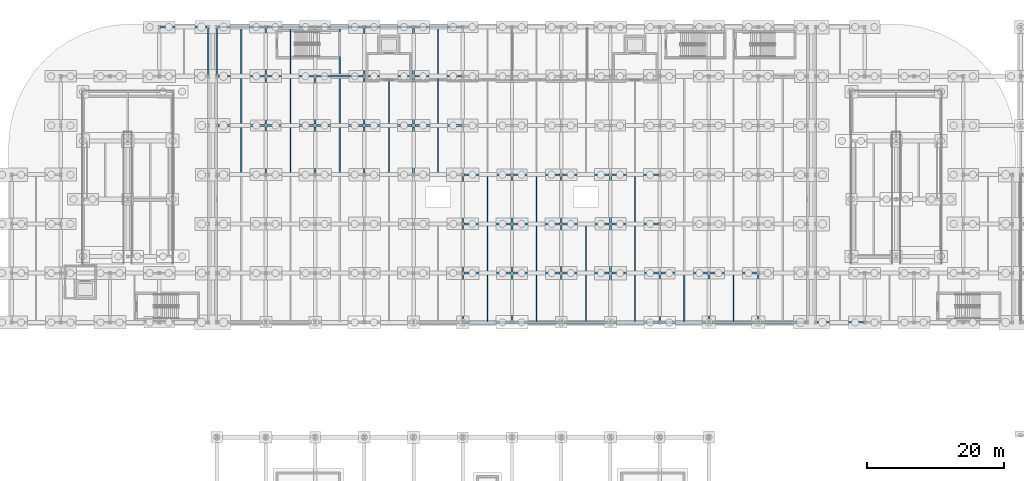
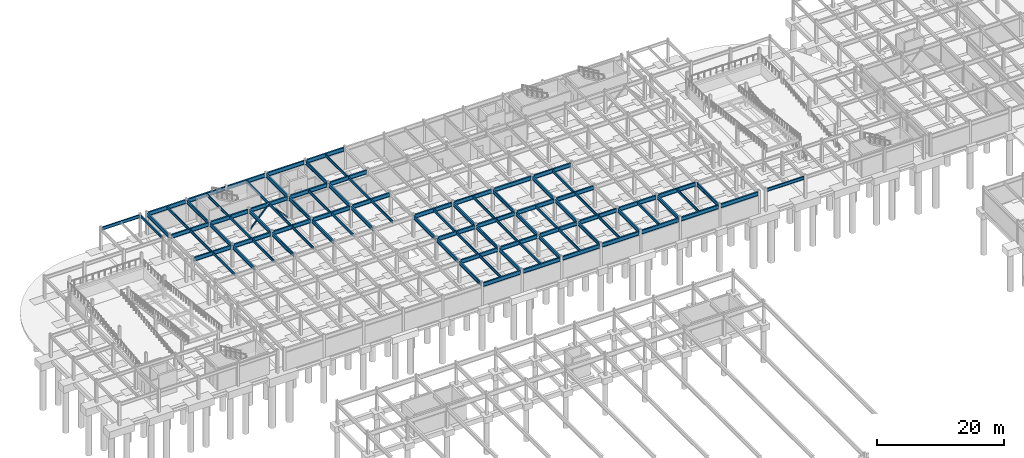
# One storey, part 30 of 54: 93 beams, 2 members.
"""IFC4 building model written with IfcOpenShell, lengths in metres."""

from ifc_helpers import new_model, si_unit, direction, frame, origin, origin_2d, place, context, subcontext, project, spatial, hollow_rectangle, i_section, extrude, material, material_profile, profile_set, type_object, element, save


model = new_model("IFC4")

# Units and contexts
model_context = context("Model", 3, precision=1e-05, world=origin(), true_north=direction((0.0, 1.0)))
body_context = subcontext(model_context, "Body", "Model", "MODEL_VIEW")
ifc_project = project(units=[si_unit("LENGTHUNIT", "METRE"), si_unit("AREAUNIT", "SQUARE_METRE"), si_unit("VOLUMEUNIT", "CUBIC_METRE"), si_unit("PLANEANGLEUNIT", "RADIAN"), si_unit("MASSUNIT", "GRAM", prefix="KILO")], contexts=[model_context])

# Site, building, storey
site_placement = place(None, origin())
site = spatial("IfcSite", under=ifc_project, at=site_placement, CompositionType="ELEMENT")
building_placement = place(site_placement, origin())
building = spatial("IfcBuilding", under=site, at=building_placement, Name="Vaelcorin Mobility Hub", CompositionType="ELEMENT")
storey_placement = place(building_placement, frame((0.0, 0.0, -4.5)))
storey = spatial("IfcBuildingStorey", under=building, at=storey_placement, Name="B1", CompositionType="ELEMENT", Elevation=-4.5)

# Beams
ifc_material_1 = material(Name="Steel ASTM A992 Grade 50", Category="steel")
ifc_material_profile_1 = material_profile(ifc_material_1, i_section(OverallWidth=0.166015625, OverallDepth=0.528076171875, WebThickness=0.009765625, FlangeThickness=0.013671875, FilletRadius=0.013916015625, at=origin_2d()), Name="W21X50")
ifc_profile_set_1 = profile_set([ifc_material_profile_1], Name="Steel ASTM A992 Grade 50")
beam_type_1 = type_object("IfcBeamType", Name="BM-W21X50", PredefinedType="JOIST", material=ifc_profile_set_1)
for number, where, z_axis, x_axis, name in (
    (1, (39.60009765625, 98.531982421875, 3.9560546875), (0.0, 1.0, 0.0), (-1.0, 0.0, 0.0), "B1 Beam V4-B1-J-01-04-1"),
    (2, (39.60009765625, 105.73193359375, 3.9560546875), (0.0, 1.0, 0.0), (-1.0, 0.0, 0.0), "B1 Beam V4-B1-J-01-05-1"),
    (3, (39.60009765625, 112.931884765625, 3.9560546875), (0.0, 1.0, 0.0), (-1.0, 0.0, 0.0), "B1 Beam V4-B1-J-01-06-1"),
    (4, (46.800048828125, 98.531982421875, 3.9560546875), (0.0, 1.0, 0.0), (-1.0, 0.0, 0.0), "B1 Beam V4-B1-J-02-04-1"),
    (5, (46.800048828125, 105.73193359375, 3.9560546875), (0.0, 1.0, 0.0), (-1.0, 0.0, 0.0), "B1 Beam V4-B1-J-02-05-1"),
    (6, (46.800048828125, 112.931884765625, 3.9560546875), (0.0, 1.0, 0.0), (-1.0, 0.0, 0.0), "B1 Beam V4-B1-J-02-06-1"),
    (7, (54.0, 98.531982421875, 3.9560546875), (0.0, 1.0, 0.0), (-1.0, 0.0, 0.0), "B1 Beam V4-B1-J-03-04-1"),
    (8, (54.0, 105.73193359375, 3.9560546875), (0.0, 1.0, 0.0), (-1.0, 0.0, 0.0), "B1 Beam V4-B1-J-03-05-1"),
    (9, (54.0, 112.931884765625, 3.9560546875), (0.0, 1.0, 0.0), (-1.0, 0.0, 0.0), "B1 Beam V4-B1-J-03-06-1"),
    (10, (61.199951171875, 98.531982421875, 3.9560546875), (0.0, 1.0, 0.0), (-1.0, 0.0, 0.0), "B1 Beam V4-B1-J-04-04-1"),
    (11, (61.199951171875, 105.73193359375, 3.9560546875), (0.0, 1.0, 0.0), (-1.0, 0.0, 0.0), "B1 Beam V4-B1-J-04-05-1"),
    (12, (68.39990234375, 98.531982421875, 3.9560546875), (0.0, 1.0, 0.0), (-1.0, 0.0, 0.0), "B1 Beam V4-B1-J-05-04-1"),
    (13, (68.39990234375, 105.73193359375, 3.9560546875), (0.0, 1.0, 0.0), (-1.0, 0.0, 0.0), "B1 Beam V4-B1-J-05-05-1"),
    (14, (68.39990234375, 112.931884765625, 3.9560546875), (0.0, 1.0, 0.0), (-1.0, 0.0, 0.0), "B1 Beam V4-B1-J-05-06-1"),
    (15, (75.60009765625, 76.931884765625, 3.9560546875), (0.0, 1.0, 0.0), (-1.0, 0.0, 0.0), "B1 Beam V4-B1-J-06-01-1"),
    (16, (75.60009765625, 84.132080078125, 3.9560546875), (0.0, 1.0, 0.0), (-1.0, 0.0, 0.0), "B1 Beam V4-B1-J-06-02-1"),
    (17, (75.60009765625, 91.33203125, 3.9560546875), (0.0, 1.0, 0.0), (-1.0, 0.0, 0.0), "B1 Beam V4-B1-J-06-03-1"),
    (18, (82.800048828125, 76.931884765625, 3.9560546875), (0.0, 1.0, 0.0), (-1.0, 0.0, 0.0), "B1 Beam V4-B1-J-07-01-1"),
    (19, (82.800048828125, 84.132080078125, 3.9560546875), (0.0, 1.0, 0.0), (-1.0, 0.0, 0.0), "B1 Beam V4-B1-J-07-02-1"),
    (20, (82.800048828125, 91.33203125, 3.9560546875), (0.0, 1.0, 0.0), (-1.0, 0.0, 0.0), "B1 Beam V4-B1-J-07-03-1"),
    (21, (90.0, 76.931884765625, 3.9560546875), (0.0, 1.0, 0.0), (-1.0, 0.0, 0.0), "B1 Beam V4-B1-J-08-01-1"),
    (22, (90.0, 84.132080078125, 3.9560546875), (0.0, 1.0, 0.0), (-1.0, 0.0, 0.0), "B1 Beam V4-B1-J-08-02-1"),
    (23, (97.199951171875, 76.931884765625, 3.9560546875), (0.0, 1.0, 0.0), (-1.0, 0.0, 0.0), "B1 Beam V4-B1-J-09-01-1"),
    (24, (97.199951171875, 84.132080078125, 3.9560546875), (0.0, 1.0, 0.0), (-1.0, 0.0, 0.0), "B1 Beam V4-B1-J-09-02-1"),
    (25, (97.199951171875, 91.33203125, 3.9560546875), (0.0, 1.0, 0.0), (-1.0, 0.0, 0.0), "B1 Beam V4-B1-J-09-03-1"),
    (26, (104.39990234375, 76.931884765625, 3.9560546875), (0.0, 1.0, 0.0), (-1.0, 0.0, 0.0), "B1 Beam V4-B1-J-10-01-1"),
    (27, (111.60009765625, 76.931884765625, 3.9560546875), (0.0, 1.0, 0.0), (-1.0, 0.0, 0.0), "B1 Beam V4-B1-J-11-01-1"),
):
    element("IfcBeam", number, at=place(storey_placement, frame(where, z_axis=z_axis, x_axis=x_axis)), inside=storey, type_object=beam_type_1, Name=name, PredefinedType="JOIST", context=body_context, shape_type="SweptSolid", body=[
        extrude(i_section(OverallWidth=0.166015625, OverallDepth=0.528076171875, WebThickness=0.009765625, FlangeThickness=0.013671875, FilletRadius=0.013916015625, at=origin_2d()), origin(), (0.0, 0.0, 1.0), 6.93603515625),
    ])
ifc_material_profile_2 = material_profile(ifc_material_1, i_section(OverallWidth=0.2099609375, OverallDepth=0.535888671875, WebThickness=0.010986328125, FlangeThickness=0.017333984375, FilletRadius=0.013916015625, at=origin_2d()), Name="W21X68")
ifc_profile_set_2 = profile_set([ifc_material_profile_2], Name="Steel ASTM A992 Grade 50")
beam_type_2 = type_object("IfcBeamType", Name="BM-W21X68", PredefinedType="SPANDREL", material=ifc_profile_set_2)
beam_1_placement = place(storey_placement, frame((34.800048828125, 112.9951171875, 3.98193359375), z_axis=(0.0, 1.0, 0.0), x_axis=(-1.0, 0.0, 0.0)))
element("IfcBeam", 28, at=beam_1_placement, inside=storey, type_object=beam_type_2, Name="B1 Beam V2W-B1-GY-05-06", PredefinedType="SPANDREL", context=body_context, shape_type="SweptSolid", body=[
    extrude(i_section(OverallWidth=0.2099609375, OverallDepth=0.535888671875, WebThickness=0.010986328125, FlangeThickness=0.017333984375, FilletRadius=0.013916015625, at=origin_2d()), origin(), (0.0, 0.0, 1.0), 6.809814453125),
])
ifc_material_profile_3 = material_profile(ifc_material_1, i_section(OverallWidth=0.22802734375, OverallDepth=0.60205078125, WebThickness=0.010498046875, FlangeThickness=0.014892578125, FilletRadius=0.014892578125, at=origin_2d()), Name="W24X68")
ifc_profile_set_3 = profile_set([ifc_material_profile_3], Name="Steel ASTM A992 Grade 50")
beam_type_3 = type_object("IfcBeamType", Name="BM-W24X68", PredefinedType="SPANDREL", material=ifc_profile_set_3)
beam_2_placement = place(storey_placement, frame((27.798095703125, 120.0, 3.948974609375), z_axis=(1.0, 0.0, 0.0), x_axis=(0.0, 1.0, 0.0)))
element("IfcBeam", 29, at=beam_2_placement, inside=storey, type_object=beam_type_3, Name="B1 Beam V2W-B1-GX-07-04", PredefinedType="SPANDREL", context=body_context, shape_type="SweptSolid", body=[
    extrude(i_section(OverallWidth=0.22802734375, OverallDepth=0.60205078125, WebThickness=0.010498046875, FlangeThickness=0.014892578125, FilletRadius=0.014892578125, at=origin_2d()), origin(), (0.0, 0.0, 1.0), 6.803955078125),
])
beam_3_placement = place(storey_placement, frame((123.798095703125, 76.800048828125, 3.948974609375), z_axis=(1.0, 0.0, 0.0), x_axis=(0.0, 1.0, 0.0)))
element("IfcBeam", 30, at=beam_3_placement, inside=storey, type_object=beam_type_3, Name="B1 Beam V2E-B1-GX-01-01", PredefinedType="SPANDREL", context=body_context, shape_type="SweptSolid", body=[
    extrude(i_section(OverallWidth=0.22802734375, OverallDepth=0.60205078125, WebThickness=0.010498046875, FlangeThickness=0.014892578125, FilletRadius=0.014892578125, at=origin_2d()), origin(), (0.0, 0.0, 1.0), 6.804931640625),
])
ifc_material_profile_4 = material_profile(ifc_material_1, i_section(OverallWidth=0.25390625, OverallDepth=0.68310546875, WebThickness=0.012451171875, FlangeThickness=0.018798828125, FilletRadius=0.01611328125, at=origin_2d()), Name="W27X94")
ifc_profile_set_4 = profile_set([ifc_material_profile_4], Name="Steel ASTM A992 Grade 50")
beam_type_4 = type_object("IfcBeamType", Name="BM-W27X94", PredefinedType="BEAM", material=ifc_profile_set_4)
beam_4_placement = place(storey_placement, frame((36.0, 113.010009765625, 3.8779296875), z_axis=(0.0, 1.0, 0.0), x_axis=(-1.0, 0.0, 0.0)))
element("IfcBeam", 31, at=beam_4_placement, inside=storey, type_object=beam_type_4, Name="B1 Beam V4-B1-GY-01-06", PredefinedType="BEAM", context=body_context, shape_type="SweptSolid", body=[
    extrude(i_section(OverallWidth=0.25390625, OverallDepth=0.68310546875, WebThickness=0.012451171875, FlangeThickness=0.018798828125, FilletRadius=0.01611328125, at=origin_2d()), origin(), (0.0, 0.0, 1.0), 6.7890625),
])
beam_5_placement = place(storey_placement, frame((43.199951171875, 98.60107421875, 3.8779296875), z_axis=(0.0, 1.0, 0.0), x_axis=(-1.0, 0.0, 0.0)))
element("IfcBeam", 32, at=beam_5_placement, inside=storey, type_object=beam_type_4, Name="B1 Beam V4-B1-GY-02-04", PredefinedType="BEAM", context=body_context, shape_type="SweptSolid", body=[
    extrude(i_section(OverallWidth=0.25390625, OverallDepth=0.68310546875, WebThickness=0.012451171875, FlangeThickness=0.018798828125, FilletRadius=0.01611328125, at=origin_2d()), origin(), (0.0, 0.0, 1.0), 6.7978515625),
])
for number, where, z_axis, x_axis, name in (
    (33, (43.199951171875, 105.801025390625, 3.8779296875), (0.0, 1.0, 0.0), (-1.0, 0.0, 0.0), "B1 Beam V4-B1-GY-02-05"),
    (34, (43.199951171875, 113.010009765625, 3.8779296875), (0.0, 1.0, 0.0), (-1.0, 0.0, 0.0), "B1 Beam V4-B1-GY-02-06"),
):
    element("IfcBeam", number, at=place(storey_placement, frame(where, z_axis=z_axis, x_axis=x_axis)), inside=storey, type_object=beam_type_4, Name=name, PredefinedType="BEAM", context=body_context, shape_type="SweptSolid", body=[
        extrude(i_section(OverallWidth=0.25390625, OverallDepth=0.68310546875, WebThickness=0.012451171875, FlangeThickness=0.018798828125, FilletRadius=0.01611328125, at=origin_2d()), origin(), (0.0, 0.0, 1.0), 6.7890625),
    ])
beam_6_placement = place(storey_placement, frame((50.39990234375, 98.60107421875, 3.8779296875), z_axis=(0.0, 1.0, 0.0), x_axis=(-1.0, 0.0, 0.0)))
element("IfcBeam", 35, at=beam_6_placement, inside=storey, type_object=beam_type_4, Name="B1 Beam V4-B1-GY-03-04", PredefinedType="BEAM", context=body_context, shape_type="SweptSolid", body=[
    extrude(i_section(OverallWidth=0.25390625, OverallDepth=0.68310546875, WebThickness=0.012451171875, FlangeThickness=0.018798828125, FilletRadius=0.01611328125, at=origin_2d()), origin(), (0.0, 0.0, 1.0), 6.7978515625),
])
beam_7_placement = place(storey_placement, frame((50.39990234375, 105.801025390625, 3.8779296875), z_axis=(0.0, 1.0, 0.0), x_axis=(-1.0, 0.0, 0.0)))
element("IfcBeam", 36, at=beam_7_placement, inside=storey, type_object=beam_type_4, Name="B1 Beam V4-B1-GY-03-05", PredefinedType="BEAM", context=body_context, shape_type="SweptSolid", body=[
    extrude(i_section(OverallWidth=0.25390625, OverallDepth=0.68310546875, WebThickness=0.012451171875, FlangeThickness=0.018798828125, FilletRadius=0.01611328125, at=origin_2d()), origin(), (0.0, 0.0, 1.0), 6.7890625),
])
beam_8_placement = place(storey_placement, frame((57.60009765625, 98.60107421875, 3.8779296875), z_axis=(0.0, 1.0, 0.0), x_axis=(-1.0, 0.0, 0.0)))
element("IfcBeam", 37, at=beam_8_placement, inside=storey, type_object=beam_type_4, Name="B1 Beam V4-B1-GY-04-04", PredefinedType="BEAM", context=body_context, shape_type="SweptSolid", body=[
    extrude(i_section(OverallWidth=0.25390625, OverallDepth=0.68310546875, WebThickness=0.012451171875, FlangeThickness=0.018798828125, FilletRadius=0.01611328125, at=origin_2d()), origin(), (0.0, 0.0, 1.0), 6.7978515625),
])
for number, where, z_axis, x_axis, name in (
    (38, (57.60009765625, 105.801025390625, 3.8779296875), (0.0, 1.0, 0.0), (-1.0, 0.0, 0.0), "B1 Beam V4-B1-GY-04-05"),
    (39, (57.60009765625, 113.010009765625, 3.8779296875), (0.0, 1.0, 0.0), (-1.0, 0.0, 0.0), "B1 Beam V4-B1-GY-04-06"),
):
    element("IfcBeam", number, at=place(storey_placement, frame(where, z_axis=z_axis, x_axis=x_axis)), inside=storey, type_object=beam_type_4, Name=name, PredefinedType="BEAM", context=body_context, shape_type="SweptSolid", body=[
        extrude(i_section(OverallWidth=0.25390625, OverallDepth=0.68310546875, WebThickness=0.012451171875, FlangeThickness=0.018798828125, FilletRadius=0.01611328125, at=origin_2d()), origin(), (0.0, 0.0, 1.0), 6.7890625),
    ])
beam_9_placement = place(storey_placement, frame((64.800048828125, 98.60107421875, 3.8779296875), z_axis=(0.0, 1.0, 0.0), x_axis=(-1.0, 0.0, 0.0)))
element("IfcBeam", 40, at=beam_9_placement, inside=storey, type_object=beam_type_4, Name="B1 Beam V4-B1-GY-05-04", PredefinedType="BEAM", context=body_context, shape_type="SweptSolid", body=[
    extrude(i_section(OverallWidth=0.25390625, OverallDepth=0.68310546875, WebThickness=0.012451171875, FlangeThickness=0.018798828125, FilletRadius=0.01611328125, at=origin_2d()), origin(), (0.0, 0.0, 1.0), 6.7978515625),
])
for number, where, z_axis, x_axis, name in (
    (41, (64.800048828125, 105.801025390625, 3.8779296875), (0.0, 1.0, 0.0), (-1.0, 0.0, 0.0), "B1 Beam V4-B1-GY-05-05"),
    (42, (64.800048828125, 113.010009765625, 3.8779296875), (0.0, 1.0, 0.0), (-1.0, 0.0, 0.0), "B1 Beam V4-B1-GY-05-06"),
    (43, (72.0, 77.0009765625, 3.8779296875), (0.0, 1.0, 0.0), (-1.0, 0.0, 0.0), "B1 Beam V4-B1-GY-06-01"),
    (44, (72.0, 84.2099609375, 3.8779296875), (0.0, 1.0, 0.0), (-1.0, 0.0, 0.0), "B1 Beam V4-B1-GY-06-02"),
):
    element("IfcBeam", number, at=place(storey_placement, frame(where, z_axis=z_axis, x_axis=x_axis)), inside=storey, type_object=beam_type_4, Name=name, PredefinedType="BEAM", context=body_context, shape_type="SweptSolid", body=[
        extrude(i_section(OverallWidth=0.25390625, OverallDepth=0.68310546875, WebThickness=0.012451171875, FlangeThickness=0.018798828125, FilletRadius=0.01611328125, at=origin_2d()), origin(), (0.0, 0.0, 1.0), 6.7890625),
    ])
beam_10_placement = place(storey_placement, frame((72.0, 91.40087890625, 3.8779296875), z_axis=(0.0, 1.0, 0.0), x_axis=(-1.0, 0.0, 0.0)))
element("IfcBeam", 45, at=beam_10_placement, inside=storey, type_object=beam_type_4, Name="B1 Beam V4-B1-GY-06-03", PredefinedType="BEAM", context=body_context, shape_type="SweptSolid", body=[
    extrude(i_section(OverallWidth=0.25390625, OverallDepth=0.68310546875, WebThickness=0.012451171875, FlangeThickness=0.018798828125, FilletRadius=0.01611328125, at=origin_2d()), origin(), (0.0, 0.0, 1.0), 6.798095703125),
])
for number, where, z_axis, x_axis, name in (
    (46, (79.199951171875, 77.0009765625, 3.8779296875), (0.0, 1.0, 0.0), (-1.0, 0.0, 0.0), "B1 Beam V4-B1-GY-07-01"),
    (47, (79.199951171875, 84.2099609375, 3.8779296875), (0.0, 1.0, 0.0), (-1.0, 0.0, 0.0), "B1 Beam V4-B1-GY-07-02"),
):
    element("IfcBeam", number, at=place(storey_placement, frame(where, z_axis=z_axis, x_axis=x_axis)), inside=storey, type_object=beam_type_4, Name=name, PredefinedType="BEAM", context=body_context, shape_type="SweptSolid", body=[
        extrude(i_section(OverallWidth=0.25390625, OverallDepth=0.68310546875, WebThickness=0.012451171875, FlangeThickness=0.018798828125, FilletRadius=0.01611328125, at=origin_2d()), origin(), (0.0, 0.0, 1.0), 6.7890625),
    ])
beam_11_placement = place(storey_placement, frame((79.199951171875, 91.40087890625, 3.8779296875), z_axis=(0.0, 1.0, 0.0), x_axis=(-1.0, 0.0, 0.0)))
element("IfcBeam", 48, at=beam_11_placement, inside=storey, type_object=beam_type_4, Name="B1 Beam V4-B1-GY-07-03", PredefinedType="BEAM", context=body_context, shape_type="SweptSolid", body=[
    extrude(i_section(OverallWidth=0.25390625, OverallDepth=0.68310546875, WebThickness=0.012451171875, FlangeThickness=0.018798828125, FilletRadius=0.01611328125, at=origin_2d()), origin(), (0.0, 0.0, 1.0), 6.798095703125),
])
for number, where, z_axis, x_axis, name in (
    (49, (86.39990234375, 77.0009765625, 3.8779296875), (0.0, 1.0, 0.0), (-1.0, 0.0, 0.0), "B1 Beam V4-B1-GY-08-01"),
    (50, (86.39990234375, 84.2099609375, 3.8779296875), (0.0, 1.0, 0.0), (-1.0, 0.0, 0.0), "B1 Beam V4-B1-GY-08-02"),
):
    element("IfcBeam", number, at=place(storey_placement, frame(where, z_axis=z_axis, x_axis=x_axis)), inside=storey, type_object=beam_type_4, Name=name, PredefinedType="BEAM", context=body_context, shape_type="SweptSolid", body=[
        extrude(i_section(OverallWidth=0.25390625, OverallDepth=0.68310546875, WebThickness=0.012451171875, FlangeThickness=0.018798828125, FilletRadius=0.01611328125, at=origin_2d()), origin(), (0.0, 0.0, 1.0), 6.7890625),
    ])
beam_12_placement = place(storey_placement, frame((86.39990234375, 91.40087890625, 3.8779296875), z_axis=(0.0, 1.0, 0.0), x_axis=(-1.0, 0.0, 0.0)))
element("IfcBeam", 51, at=beam_12_placement, inside=storey, type_object=beam_type_4, Name="B1 Beam V4-B1-GY-08-03", PredefinedType="BEAM", context=body_context, shape_type="SweptSolid", body=[
    extrude(i_section(OverallWidth=0.25390625, OverallDepth=0.68310546875, WebThickness=0.012451171875, FlangeThickness=0.018798828125, FilletRadius=0.01611328125, at=origin_2d()), origin(), (0.0, 0.0, 1.0), 6.798095703125),
])
for number, where, z_axis, x_axis, name in (
    (52, (93.60009765625, 77.0009765625, 3.8779296875), (0.0, 1.0, 0.0), (-1.0, 0.0, 0.0), "B1 Beam V4-B1-GY-09-01"),
    (53, (93.60009765625, 84.2099609375, 3.8779296875), (0.0, 1.0, 0.0), (-1.0, 0.0, 0.0), "B1 Beam V4-B1-GY-09-02"),
):
    element("IfcBeam", number, at=place(storey_placement, frame(where, z_axis=z_axis, x_axis=x_axis)), inside=storey, type_object=beam_type_4, Name=name, PredefinedType="BEAM", context=body_context, shape_type="SweptSolid", body=[
        extrude(i_section(OverallWidth=0.25390625, OverallDepth=0.68310546875, WebThickness=0.012451171875, FlangeThickness=0.018798828125, FilletRadius=0.01611328125, at=origin_2d()), origin(), (0.0, 0.0, 1.0), 6.7890625),
    ])
beam_13_placement = place(storey_placement, frame((93.60009765625, 91.40087890625, 3.8779296875), z_axis=(0.0, 1.0, 0.0), x_axis=(-1.0, 0.0, 0.0)))
element("IfcBeam", 54, at=beam_13_placement, inside=storey, type_object=beam_type_4, Name="B1 Beam V4-B1-GY-09-03", PredefinedType="BEAM", context=body_context, shape_type="SweptSolid", body=[
    extrude(i_section(OverallWidth=0.25390625, OverallDepth=0.68310546875, WebThickness=0.012451171875, FlangeThickness=0.018798828125, FilletRadius=0.01611328125, at=origin_2d()), origin(), (0.0, 0.0, 1.0), 6.798095703125),
])
for number, where, z_axis, x_axis, name in (
    (55, (100.800048828125, 77.0009765625, 3.8779296875), (0.0, 1.0, 0.0), (-1.0, 0.0, 0.0), "B1 Beam V4-B1-GY-10-01"),
    (56, (108.0, 77.0009765625, 3.8779296875), (0.0, 1.0, 0.0), (-1.0, 0.0, 0.0), "B1 Beam V4-B1-GY-11-01"),
    (57, (115.199951171875, 77.0009765625, 3.8779296875), (0.0, 1.0, 0.0), (-1.0, 0.0, 0.0), "B1 Beam V4-B1-GY-12-01"),
):
    element("IfcBeam", number, at=place(storey_placement, frame(where, z_axis=z_axis, x_axis=x_axis)), inside=storey, type_object=beam_type_4, Name=name, PredefinedType="BEAM", context=body_context, shape_type="SweptSolid", body=[
        extrude(i_section(OverallWidth=0.25390625, OverallDepth=0.68310546875, WebThickness=0.012451171875, FlangeThickness=0.018798828125, FilletRadius=0.01611328125, at=origin_2d()), origin(), (0.0, 0.0, 1.0), 6.7890625),
    ])
ifc_material_profile_5 = material_profile(ifc_material_1, i_section(OverallWidth=0.26708984375, OverallDepth=0.757080078125, WebThickness=0.013916015625, FlangeThickness=0.019287109375, FilletRadius=0.01708984375, at=origin_2d()), Name="W30X108")
ifc_profile_set_5 = profile_set([ifc_material_profile_5], Name="Steel ASTM A992 Grade 50")
beam_type_5 = type_object("IfcBeamType", Name="BM-W30X108", PredefinedType="BEAM", material=ifc_profile_set_5)
for number, where, z_axis, x_axis, name in (
    (58, (72.199951171875, 76.800048828125, 3.841064453125), (1.0, 0.0, 0.0), (0.0, 1.0, 0.0), "B1 Beam V4-B1-GX-01-06"),
    (59, (79.39990234375, 76.800048828125, 3.841064453125), (1.0, 0.0, 0.0), (0.0, 1.0, 0.0), "B1 Beam V4-B1-GX-01-07"),
):
    element("IfcBeam", number, at=place(storey_placement, frame(where, z_axis=z_axis, x_axis=x_axis)), inside=storey, type_object=beam_type_5, Name=name, PredefinedType="BEAM", context=body_context, shape_type="SweptSolid", body=[
        extrude(i_section(OverallWidth=0.26708984375, OverallDepth=0.757080078125, WebThickness=0.013916015625, FlangeThickness=0.019287109375, FilletRadius=0.01708984375, at=origin_2d()), origin(), (0.0, 0.0, 1.0), 6.800048828125),
    ])
beam_14_placement = place(storey_placement, frame((86.60009765625, 76.800048828125, 3.841064453125), z_axis=(1.0, 0.0, 0.0), x_axis=(0.0, 1.0, 0.0)))
element("IfcBeam", 60, at=beam_14_placement, inside=storey, type_object=beam_type_5, Name="B1 Beam V4-B1-GX-01-08", PredefinedType="BEAM", context=body_context, shape_type="SweptSolid", body=[
    extrude(i_section(OverallWidth=0.26708984375, OverallDepth=0.757080078125, WebThickness=0.013916015625, FlangeThickness=0.019287109375, FilletRadius=0.01708984375, at=origin_2d()), origin(), (0.0, 0.0, 1.0), 6.7998046875),
])
for number, where, z_axis, x_axis, name in (
    (61, (93.800048828125, 76.800048828125, 3.841064453125), (1.0, 0.0, 0.0), (0.0, 1.0, 0.0), "B1 Beam V4-B1-GX-01-09"),
    (62, (101.0, 76.800048828125, 3.841064453125), (1.0, 0.0, 0.0), (0.0, 1.0, 0.0), "B1 Beam V4-B1-GX-01-10"),
    (63, (108.199951171875, 76.800048828125, 3.841064453125), (1.0, 0.0, 0.0), (0.0, 1.0, 0.0), "B1 Beam V4-B1-GX-01-11"),
    (64, (115.39990234375, 76.800048828125, 3.841064453125), (1.0, 0.0, 0.0), (0.0, 1.0, 0.0), "B1 Beam V4-B1-GX-01-12"),
):
    element("IfcBeam", number, at=place(storey_placement, frame(where, z_axis=z_axis, x_axis=x_axis)), inside=storey, type_object=beam_type_5, Name=name, PredefinedType="BEAM", context=body_context, shape_type="SweptSolid", body=[
        extrude(i_section(OverallWidth=0.26708984375, OverallDepth=0.757080078125, WebThickness=0.013916015625, FlangeThickness=0.019287109375, FilletRadius=0.01708984375, at=origin_2d()), origin(), (0.0, 0.0, 1.0), 6.800048828125),
    ])
beam_15_placement = place(storey_placement, frame((72.201904296875, 84.0, 3.841064453125), z_axis=(1.0, 0.0, 0.0), x_axis=(0.0, 1.0, 0.0)))
element("IfcBeam", 65, at=beam_15_placement, inside=storey, type_object=beam_type_5, Name="B1 Beam V4-B1-GX-02-06", PredefinedType="BEAM", context=body_context, shape_type="SweptSolid", body=[
    extrude(i_section(OverallWidth=0.26708984375, OverallDepth=0.757080078125, WebThickness=0.013916015625, FlangeThickness=0.019287109375, FilletRadius=0.01708984375, at=origin_2d()), origin(), (0.0, 0.0, 1.0), 6.796142578125),
])
for number, where, z_axis, x_axis, name in (
    (66, (79.402099609375, 84.0, 3.841064453125), (1.0, 0.0, 0.0), (0.0, 1.0, 0.0), "B1 Beam V4-B1-GX-02-07"),
    (67, (86.60205078125, 84.0, 3.841064453125), (1.0, 0.0, 0.0), (0.0, 1.0, 0.0), "B1 Beam V4-B1-GX-02-08"),
    (68, (93.802001953125, 84.0, 3.841064453125), (1.0, 0.0, 0.0), (0.0, 1.0, 0.0), "B1 Beam V4-B1-GX-02-09"),
):
    element("IfcBeam", number, at=place(storey_placement, frame(where, z_axis=z_axis, x_axis=x_axis)), inside=storey, type_object=beam_type_5, Name=name, PredefinedType="BEAM", context=body_context, shape_type="SweptSolid", body=[
        extrude(i_section(OverallWidth=0.26708984375, OverallDepth=0.757080078125, WebThickness=0.013916015625, FlangeThickness=0.019287109375, FilletRadius=0.01708984375, at=origin_2d()), origin(), (0.0, 0.0, 1.0), 6.7958984375),
    ])
for number, where, z_axis, x_axis, name in (
    (69, (101.001953125, 84.0, 3.841064453125), (1.0, 0.0, 0.0), (0.0, 1.0, 0.0), "B1 Beam V4-B1-GX-02-10"),
    (70, (108.201904296875, 84.0, 3.841064453125), (1.0, 0.0, 0.0), (0.0, 1.0, 0.0), "B1 Beam V4-B1-GX-02-11"),
):
    element("IfcBeam", number, at=place(storey_placement, frame(where, z_axis=z_axis, x_axis=x_axis)), inside=storey, type_object=beam_type_5, Name=name, PredefinedType="BEAM", context=body_context, shape_type="SweptSolid", body=[
        extrude(i_section(OverallWidth=0.26708984375, OverallDepth=0.757080078125, WebThickness=0.013916015625, FlangeThickness=0.019287109375, FilletRadius=0.01708984375, at=origin_2d()), origin(), (0.0, 0.0, 1.0), 6.796142578125),
    ])
for number, where, z_axis, x_axis, name in (
    (71, (72.199951171875, 91.199951171875, 3.841064453125), (1.0, 0.0, 0.0), (0.0, 1.0, 0.0), "B1 Beam V4-B1-GX-03-06"),
    (72, (79.39990234375, 91.199951171875, 3.841064453125), (1.0, 0.0, 0.0), (0.0, 1.0, 0.0), "B1 Beam V4-B1-GX-03-07"),
):
    element("IfcBeam", number, at=place(storey_placement, frame(where, z_axis=z_axis, x_axis=x_axis)), inside=storey, type_object=beam_type_5, Name=name, PredefinedType="BEAM", context=body_context, shape_type="SweptSolid", body=[
        extrude(i_section(OverallWidth=0.26708984375, OverallDepth=0.757080078125, WebThickness=0.013916015625, FlangeThickness=0.019287109375, FilletRadius=0.01708984375, at=origin_2d()), origin(), (0.0, 0.0, 1.0), 6.800048828125),
    ])
beam_16_placement = place(storey_placement, frame((86.60009765625, 91.199951171875, 3.841064453125), z_axis=(1.0, 0.0, 0.0), x_axis=(0.0, 1.0, 0.0)))
element("IfcBeam", 73, at=beam_16_placement, inside=storey, type_object=beam_type_5, Name="B1 Beam V4-B1-GX-03-08", PredefinedType="BEAM", context=body_context, shape_type="SweptSolid", body=[
    extrude(i_section(OverallWidth=0.26708984375, OverallDepth=0.757080078125, WebThickness=0.013916015625, FlangeThickness=0.019287109375, FilletRadius=0.01708984375, at=origin_2d()), origin(), (0.0, 0.0, 1.0), 6.7998046875),
])
for number, where, z_axis, x_axis, name in (
    (74, (93.800048828125, 91.199951171875, 3.841064453125), (1.0, 0.0, 0.0), (0.0, 1.0, 0.0), "B1 Beam V4-B1-GX-03-09"),
    (75, (72.199951171875, 98.39990234375, 3.841064453125), (1.0, 0.0, 0.0), (0.0, 1.0, 0.0), "B1 Beam V4-B1-GX-04-06"),
    (76, (79.39990234375, 98.39990234375, 3.841064453125), (1.0, 0.0, 0.0), (0.0, 1.0, 0.0), "B1 Beam V4-B1-GX-04-07"),
):
    element("IfcBeam", number, at=place(storey_placement, frame(where, z_axis=z_axis, x_axis=x_axis)), inside=storey, type_object=beam_type_5, Name=name, PredefinedType="BEAM", context=body_context, shape_type="SweptSolid", body=[
        extrude(i_section(OverallWidth=0.26708984375, OverallDepth=0.757080078125, WebThickness=0.013916015625, FlangeThickness=0.019287109375, FilletRadius=0.01708984375, at=origin_2d()), origin(), (0.0, 0.0, 1.0), 6.800048828125),
    ])
beam_17_placement = place(storey_placement, frame((86.60009765625, 98.39990234375, 3.841064453125), z_axis=(1.0, 0.0, 0.0), x_axis=(0.0, 1.0, 0.0)))
element("IfcBeam", 77, at=beam_17_placement, inside=storey, type_object=beam_type_5, Name="B1 Beam V4-B1-GX-04-08", PredefinedType="BEAM", context=body_context, shape_type="SweptSolid", body=[
    extrude(i_section(OverallWidth=0.26708984375, OverallDepth=0.757080078125, WebThickness=0.013916015625, FlangeThickness=0.019287109375, FilletRadius=0.01708984375, at=origin_2d()), origin(), (0.0, 0.0, 1.0), 6.7998046875),
])
for number, where, z_axis, x_axis, name in (
    (78, (93.800048828125, 98.39990234375, 3.841064453125), (1.0, 0.0, 0.0), (0.0, 1.0, 0.0), "B1 Beam V4-B1-GX-04-09"),
    (79, (36.199951171875, 105.60009765625, 3.841064453125), (1.0, 0.0, 0.0), (0.0, 1.0, 0.0), "B1 Beam V4-B1-GX-05-01"),
    (80, (43.39990234375, 105.60009765625, 3.841064453125), (1.0, 0.0, 0.0), (0.0, 1.0, 0.0), "B1 Beam V4-B1-GX-05-02"),
):
    element("IfcBeam", number, at=place(storey_placement, frame(where, z_axis=z_axis, x_axis=x_axis)), inside=storey, type_object=beam_type_5, Name=name, PredefinedType="BEAM", context=body_context, shape_type="SweptSolid", body=[
        extrude(i_section(OverallWidth=0.26708984375, OverallDepth=0.757080078125, WebThickness=0.013916015625, FlangeThickness=0.019287109375, FilletRadius=0.01708984375, at=origin_2d()), origin(), (0.0, 0.0, 1.0), 6.800048828125),
    ])
beam_18_placement = place(storey_placement, frame((50.60009765625, 105.60009765625, 3.841064453125), z_axis=(1.0, 0.0, 0.0), x_axis=(0.0, 1.0, 0.0)))
element("IfcBeam", 81, at=beam_18_placement, inside=storey, type_object=beam_type_5, Name="B1 Beam V4-B1-GX-05-03", PredefinedType="BEAM", context=body_context, shape_type="SweptSolid", body=[
    extrude(i_section(OverallWidth=0.26708984375, OverallDepth=0.757080078125, WebThickness=0.013916015625, FlangeThickness=0.019287109375, FilletRadius=0.01708984375, at=origin_2d()), origin(), (0.0, 0.0, 1.0), 6.7998046875),
])
for number, where, z_axis, x_axis, name in (
    (82, (57.800048828125, 105.60009765625, 3.841064453125), (1.0, 0.0, 0.0), (0.0, 1.0, 0.0), "B1 Beam V4-B1-GX-05-04"),
    (83, (65.0, 105.60009765625, 3.841064453125), (1.0, 0.0, 0.0), (0.0, 1.0, 0.0), "B1 Beam V4-B1-GX-05-05"),
):
    element("IfcBeam", number, at=place(storey_placement, frame(where, z_axis=z_axis, x_axis=x_axis)), inside=storey, type_object=beam_type_5, Name=name, PredefinedType="BEAM", context=body_context, shape_type="SweptSolid", body=[
        extrude(i_section(OverallWidth=0.26708984375, OverallDepth=0.757080078125, WebThickness=0.013916015625, FlangeThickness=0.019287109375, FilletRadius=0.01708984375, at=origin_2d()), origin(), (0.0, 0.0, 1.0), 6.800048828125),
    ])
beam_19_placement = place(storey_placement, frame((36.201904296875, 112.800048828125, 3.841064453125), z_axis=(1.0, 0.0, 0.0), x_axis=(0.0, 1.0, 0.0)))
element("IfcBeam", 84, at=beam_19_placement, inside=storey, type_object=beam_type_5, Name="B1 Beam V4-B1-GX-06-01", PredefinedType="BEAM", context=body_context, shape_type="SweptSolid", body=[
    extrude(i_section(OverallWidth=0.26708984375, OverallDepth=0.757080078125, WebThickness=0.013916015625, FlangeThickness=0.019287109375, FilletRadius=0.01708984375, at=origin_2d()), origin(), (0.0, 0.0, 1.0), 6.796142578125),
])
for number, where, z_axis, x_axis, name in (
    (85, (43.402099609375, 112.800048828125, 3.841064453125), (1.0, 0.0, 0.0), (0.0, 1.0, 0.0), "B1 Beam V4-B1-GX-06-02"),
    (86, (50.60205078125, 112.800048828125, 3.841064453125), (1.0, 0.0, 0.0), (0.0, 1.0, 0.0), "B1 Beam V4-B1-GX-06-03"),
    (87, (57.802001953125, 112.800048828125, 3.841064453125), (1.0, 0.0, 0.0), (0.0, 1.0, 0.0), "B1 Beam V4-B1-GX-06-04"),
):
    element("IfcBeam", number, at=place(storey_placement, frame(where, z_axis=z_axis, x_axis=x_axis)), inside=storey, type_object=beam_type_5, Name=name, PredefinedType="BEAM", context=body_context, shape_type="SweptSolid", body=[
        extrude(i_section(OverallWidth=0.26708984375, OverallDepth=0.757080078125, WebThickness=0.013916015625, FlangeThickness=0.019287109375, FilletRadius=0.01708984375, at=origin_2d()), origin(), (0.0, 0.0, 1.0), 6.7958984375),
    ])
beam_20_placement = place(storey_placement, frame((65.001953125, 112.800048828125, 3.841064453125), z_axis=(1.0, 0.0, 0.0), x_axis=(0.0, 1.0, 0.0)))
element("IfcBeam", 88, at=beam_20_placement, inside=storey, type_object=beam_type_5, Name="B1 Beam V4-B1-GX-06-05", PredefinedType="BEAM", context=body_context, shape_type="SweptSolid", body=[
    extrude(i_section(OverallWidth=0.26708984375, OverallDepth=0.757080078125, WebThickness=0.013916015625, FlangeThickness=0.019287109375, FilletRadius=0.01708984375, at=origin_2d()), origin(), (0.0, 0.0, 1.0), 6.796142578125),
])
for number, where, z_axis, x_axis, name in (
    (89, (36.199951171875, 120.0, 3.841064453125), (1.0, 0.0, 0.0), (0.0, 1.0, 0.0), "B1 Beam V4-B1-GX-07-01"),
    (90, (43.39990234375, 120.0, 3.841064453125), (1.0, 0.0, 0.0), (0.0, 1.0, 0.0), "B1 Beam V4-B1-GX-07-02"),
):
    element("IfcBeam", number, at=place(storey_placement, frame(where, z_axis=z_axis, x_axis=x_axis)), inside=storey, type_object=beam_type_5, Name=name, PredefinedType="BEAM", context=body_context, shape_type="SweptSolid", body=[
        extrude(i_section(OverallWidth=0.26708984375, OverallDepth=0.757080078125, WebThickness=0.013916015625, FlangeThickness=0.019287109375, FilletRadius=0.01708984375, at=origin_2d()), origin(), (0.0, 0.0, 1.0), 6.800048828125),
    ])
beam_21_placement = place(storey_placement, frame((50.60009765625, 120.0, 3.841064453125), z_axis=(1.0, 0.0, 0.0), x_axis=(0.0, 1.0, 0.0)))
element("IfcBeam", 91, at=beam_21_placement, inside=storey, type_object=beam_type_5, Name="B1 Beam V4-B1-GX-07-03", PredefinedType="BEAM", context=body_context, shape_type="SweptSolid", body=[
    extrude(i_section(OverallWidth=0.26708984375, OverallDepth=0.757080078125, WebThickness=0.013916015625, FlangeThickness=0.019287109375, FilletRadius=0.01708984375, at=origin_2d()), origin(), (0.0, 0.0, 1.0), 6.7998046875),
])
for number, where, z_axis, x_axis, name in (
    (92, (57.800048828125, 120.0, 3.841064453125), (1.0, 0.0, 0.0), (0.0, 1.0, 0.0), "B1 Beam V4-B1-GX-07-04"),
    (93, (65.0, 120.0, 3.841064453125), (1.0, 0.0, 0.0), (0.0, 1.0, 0.0), "B1 Beam V4-B1-GX-07-05"),
):
    element("IfcBeam", number, at=place(storey_placement, frame(where, z_axis=z_axis, x_axis=x_axis)), inside=storey, type_object=beam_type_5, Name=name, PredefinedType="BEAM", context=body_context, shape_type="SweptSolid", body=[
        extrude(i_section(OverallWidth=0.26708984375, OverallDepth=0.757080078125, WebThickness=0.013916015625, FlangeThickness=0.019287109375, FilletRadius=0.01708984375, at=origin_2d()), origin(), (0.0, 0.0, 1.0), 6.800048828125),
    ])

# Members
ifc_material_2 = material(Name="Steel ASTM A500 Grade C", Category="steel")
ifc_material_profile_6 = material_profile(ifc_material_2, hollow_rectangle(XDim=0.203125, YDim=0.203125, WallThickness=0.01171875, at=origin_2d()), Name="HSS8X8X0.500")
ifc_profile_set_6 = profile_set([ifc_material_profile_6], Name="Steel ASTM A500 Grade C")
member_type = type_object("IfcMemberType", Name="BR-SCBF-8X8", PredefinedType="BRACE", material=ifc_profile_set_6)
for number, where, z_axis, x_axis, name in (
    (94, (50.590087890625, 112.800048828125, 0.179931640625), (0.680654817362, 0.0, 0.73260427217), (0.0, 1.0, 0.0), "SCBF Chevron Brace V4-BX1-B1-A"),
    (95, (57.409912109375, 112.800048828125, 0.179931640625), (-0.680654817362, 0.0, 0.73260427217), (0.0, -1.0, 0.0), "SCBF Chevron Brace V4-BX1-B1-B"),
):
    element("IfcMember", number, at=place(storey_placement, frame(where, z_axis=z_axis, x_axis=x_axis)), inside=storey, type_object=member_type, Name=name, PredefinedType="BRACE", context=body_context, shape_type="SweptSolid", body=[
        extrude(hollow_rectangle(XDim=0.203125, YDim=0.203125, WallThickness=0.01171875, at=origin_2d()), origin(), (0.0, 0.0, 1.0), 5.009765625),
    ])

save(model, "model.ifc")
